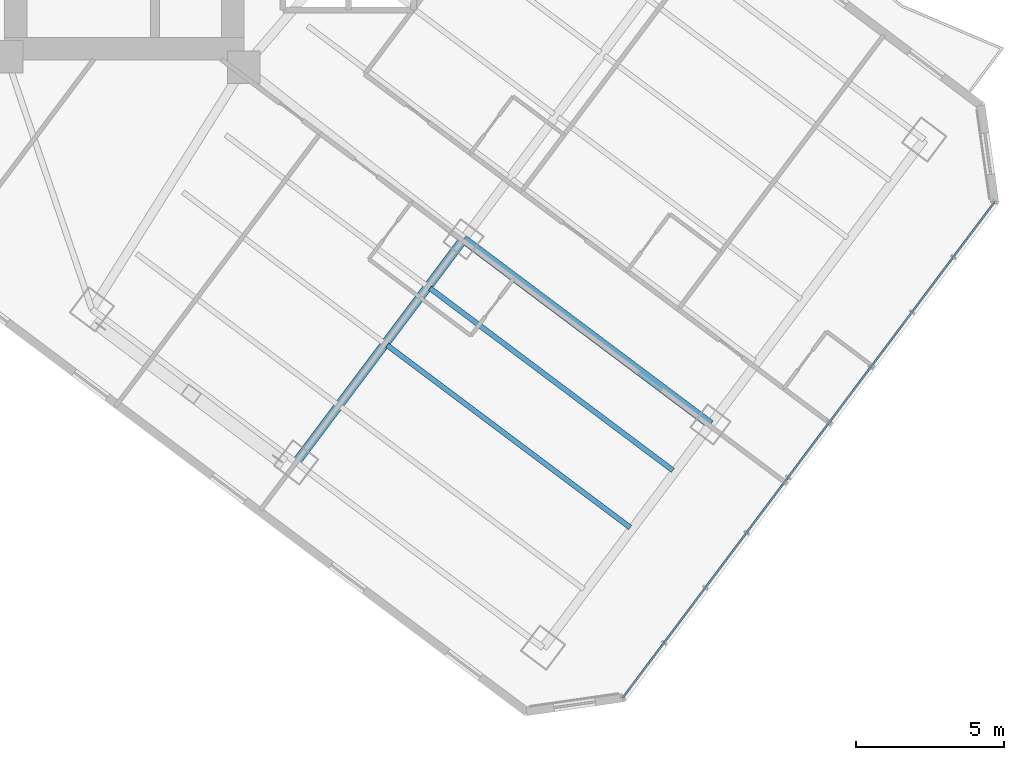
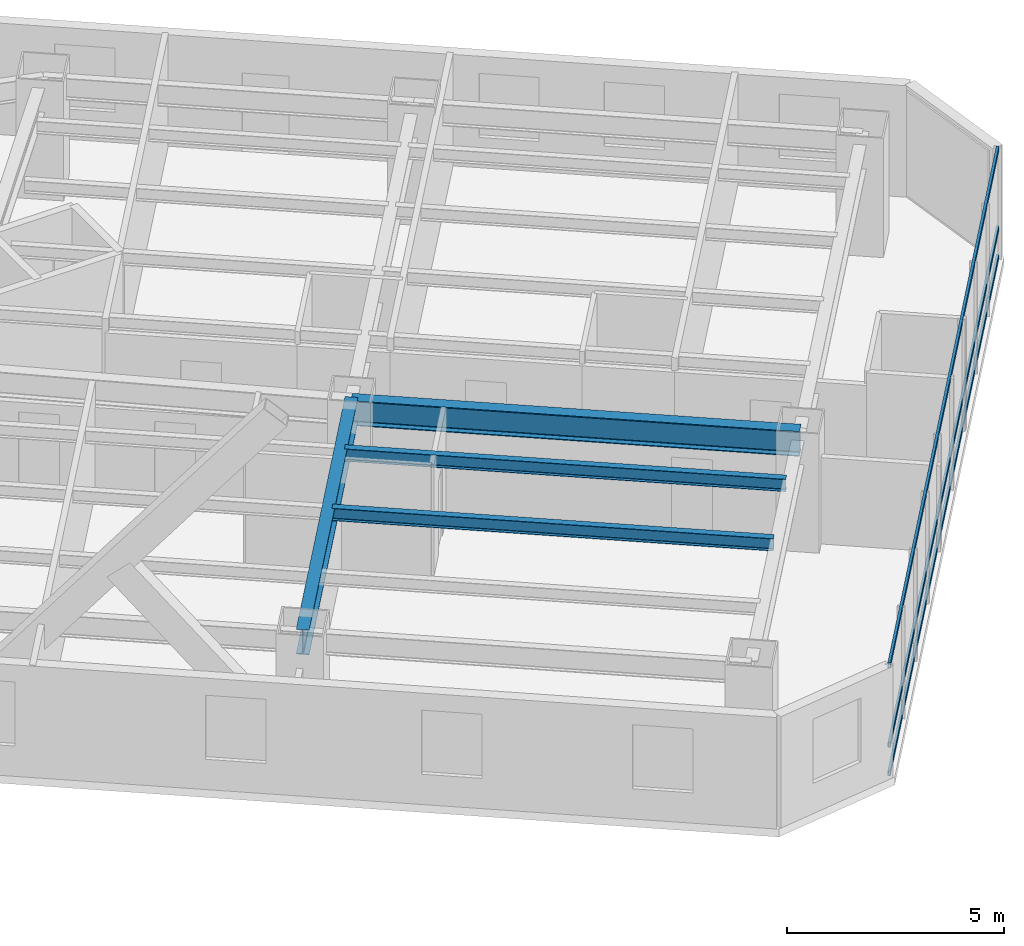
# One storey, part 9 of 33: 4 beams, 3 members, 1 element without a shape of its own.
"""IFC4 building model written with IfcOpenShell, lengths in metres."""

from ifc_helpers import new_model, si_unit, direction, frame, origin, origin_2d, place, context, subcontext, project, spatial, hollow_rectangle, i_section, extrude, material, layer, layer_set, material_profile, profile_set, type_object, element, aggregate, save


model = new_model("IFC4")

# Units and contexts
model_context = context("Model", 3, precision=1e-05, world=origin(), true_north=direction((0.0, 1.0)))
body_context = subcontext(model_context, "Body", "Model", "MODEL_VIEW")
ifc_project = project(units=[si_unit("LENGTHUNIT", "METRE"), si_unit("AREAUNIT", "SQUARE_METRE"), si_unit("VOLUMEUNIT", "CUBIC_METRE"), si_unit("PLANEANGLEUNIT", "RADIAN"), si_unit("MASSUNIT", "GRAM", prefix="KILO")], contexts=[model_context])

# Site, building, storey
site_placement = place(None, origin())
site = spatial("IfcSite", under=ifc_project, at=site_placement, CompositionType="ELEMENT")
building_placement = place(site_placement, origin())
building = spatial("IfcBuilding", under=site, at=building_placement, Name="Hatsunagi Terrace Concourse", CompositionType="ELEMENT")
storey_placement = place(building_placement, frame((0.0, 0.0, 53.35009765625)))
storey = spatial("IfcBuildingStorey", under=building, at=storey_placement, Name="L13", CompositionType="ELEMENT", Elevation=53.35009765625)

# Curtain wall, members
ifc_material_1 = material(Name="Anodised Aluminium Alloy 6063-T5", Category="aluminium")
ifc_layer = layer(ifc_material_1, 0.199951171875)
ifc_layer_set = layer_set([ifc_layer], Name="HotelFacade_CW02")
curtain_wall_type = type_object("IfcCurtainWallType", Name="HotelFacade_CW02", PredefinedType="NOTDEFINED", material=ifc_layer_set)
curtain_wall_placement = place(storey_placement, origin())
curtain_wall = element("IfcCurtainWall", 1, at=curtain_wall_placement, inside=storey, type_object=curtain_wall_type, Name="Unitised Curtain Wall CW-02 CW-L13-03", PredefinedType="NOTDEFINED")
ifc_material_2 = material(Name="Anodised Aluminium Alloy 6063-T5", Category="aluminium")
ifc_material_profile_1 = material_profile(ifc_material_2, hollow_rectangle(XDim=0.06494140625, YDim=0.139892578125, WallThickness=0.00390625, at=origin_2d()), Name="ALU-TRN-140x65x4")
ifc_profile_set_1 = profile_set([ifc_material_profile_1], Name="Anodised Aluminium Alloy 6063-T5")
member_type = type_object("IfcMemberType", Name="CurtainWallTransom_140x65", PredefinedType="USERDEFINED", material=ifc_profile_set_1)
member_1_placement = place(storey_placement, frame((69.093017578125, 19.657958984375, 0.0498046875), z_axis=(-0.599970072971, -0.800022444397, 0.0), x_axis=(0.800022444397, -0.599970072971, 0.0)))
member_1 = element("IfcMember", 2, at=member_1_placement, type_object=member_type, Name="Curtain Wall Transom TRN-02", ObjectType="TRANSOM", PredefinedType="USERDEFINED", context=body_context, shape_type="SweptSolid", body=[
    extrude(hollow_rectangle(XDim=0.06494140625, YDim=0.139892578125, WallThickness=0.00390625, at=origin_2d()), origin(), (0.0, 0.0, 1.0), 20.884521484375),
])
member_2_placement = place(storey_placement, frame((69.093017578125, 19.657958984375, 0.849853515625), z_axis=(-0.599970072971, -0.800022444397, 0.0), x_axis=(0.800022444397, -0.599970072971, 0.0)))
member_2 = element("IfcMember", 3, at=member_2_placement, type_object=member_type, Name="Curtain Wall Transom TRN-02", ObjectType="TRANSOM", PredefinedType="USERDEFINED", context=body_context, shape_type="SweptSolid", body=[
    extrude(hollow_rectangle(XDim=0.06494140625, YDim=0.139892578125, WallThickness=0.00390625, at=origin_2d()), origin(), (0.0, 0.0, 1.0), 20.884521484375),
])
member_3_placement = place(storey_placement, frame((69.093017578125, 19.657958984375, 3.079833984375), z_axis=(-0.599970072971, -0.800022444397, 0.0), x_axis=(0.800022444397, -0.599970072971, 0.0)))
member_3 = element("IfcMember", 4, at=member_3_placement, type_object=member_type, Name="Curtain Wall Transom TRN-02", ObjectType="TRANSOM", PredefinedType="USERDEFINED", context=body_context, shape_type="SweptSolid", body=[
    extrude(hollow_rectangle(XDim=0.06494140625, YDim=0.139892578125, WallThickness=0.00390625, at=origin_2d()), origin(), (0.0, 0.0, 1.0), 20.884521484375),
])
aggregate(curtain_wall, [member_1, member_2, member_3])

# Beams
ifc_material_3 = material(Name="Steel SN490B", Category="steel")
ifc_material_profile_2 = material_profile(ifc_material_3, i_section(OverallWidth=0.300048828125, OverallDepth=0.699951171875, WebThickness=0.012939453125, FlangeThickness=0.02392578125, FilletRadius=0.02197265625, at=origin_2d()), Name="H-700x300x13x24")
ifc_profile_set_2 = profile_set([ifc_material_profile_2], Name="Steel SN490B")
beam_type_1 = type_object("IfcBeamType", Name="HotelFloorGirder_H_700x300", PredefinedType="BEAM", material=ifc_profile_set_2)
beam_1_placement = place(storey_placement, frame((45.56005859375, 10.8798828125, 2.77978515625), z_axis=(0.599991688754, 0.800006233367, 0.0), x_axis=(-0.800006233367, 0.599991688754, 0.0)))
element("IfcBeam", 5, at=beam_1_placement, inside=storey, type_object=beam_type_1, Name="Beam G-04 BM-L13-SET-2A", PredefinedType="BEAM", context=body_context, shape_type="SweptSolid", body=[
    extrude(i_section(OverallWidth=0.300048828125, OverallDepth=0.699951171875, WebThickness=0.012939453125, FlangeThickness=0.02392578125, FilletRadius=0.02197265625, at=origin_2d()), origin(), (0.0, 0.0, 1.0), 9.39990234375),
])
beam_2_placement = place(storey_placement, frame((51.199951171875, 18.39990234375, 2.77978515625), z_axis=(0.800002816985, -0.599996244001, 0.0), x_axis=(0.599996244001, 0.800002816985, 0.0)))
element("IfcBeam", 6, at=beam_2_placement, inside=storey, type_object=beam_type_1, Name="Beam G-04 BM-L13-SE-M3", PredefinedType="BEAM", context=body_context, shape_type="SweptSolid", body=[
    extrude(i_section(OverallWidth=0.300048828125, OverallDepth=0.699951171875, WebThickness=0.012939453125, FlangeThickness=0.02392578125, FilletRadius=0.02197265625, at=origin_2d()), origin(), (0.0, 0.0, 1.0), 10.400146484375),
])
ifc_material_4 = material(Name="Steel SN490B", Category="steel")
ifc_material_profile_3 = material_profile(ifc_material_4, i_section(OverallWidth=0.175048828125, OverallDepth=0.35009765625, WebThickness=0.007080078125, FlangeThickness=0.010986328125, FilletRadius=0.012939453125, at=origin_2d()), Name="H-350x175x7x11")
ifc_profile_set_3 = profile_set([ifc_material_profile_3], Name="Steel SN490B")
beam_type_2 = type_object("IfcBeamType", Name="HotelJoist_H_350x175", PredefinedType="JOIST", material=ifc_profile_set_3)
beam_3_placement = place(storey_placement, frame((48.6279296875, 14.8291015625, 2.954833984375), z_axis=(0.799994272423, -0.600007636694, 0.0), x_axis=(0.600007636694, 0.799994272423, 0.0)))
element("IfcBeam", 7, at=beam_3_placement, inside=storey, type_object=beam_type_2, Name="Beam J-02 J-L13-SE-3-72", PredefinedType="JOIST", context=body_context, shape_type="SweptSolid", body=[
    extrude(i_section(OverallWidth=0.175048828125, OverallDepth=0.35009765625, WebThickness=0.007080078125, FlangeThickness=0.010986328125, FilletRadius=0.012939453125, at=origin_2d()), origin(), (0.0, 0.0, 1.0), 10.230224609375),
])
beam_4_placement = place(storey_placement, frame((50.068115234375, 16.7490234375, 2.954833984375), z_axis=(0.799997136125, -0.600003818481, 0.0), x_axis=(0.600003818481, 0.799997136125, 0.0)))
element("IfcBeam", 8, at=beam_4_placement, inside=storey, type_object=beam_type_2, Name="Beam J-02 J-L13-SE-3-96", PredefinedType="JOIST", context=body_context, shape_type="SweptSolid", body=[
    extrude(i_section(OverallWidth=0.175048828125, OverallDepth=0.35009765625, WebThickness=0.007080078125, FlangeThickness=0.010986328125, FilletRadius=0.012939453125, at=origin_2d()), origin(), (0.0, 0.0, 1.0), 10.229736328125),
])

save(model, "model.ifc")
